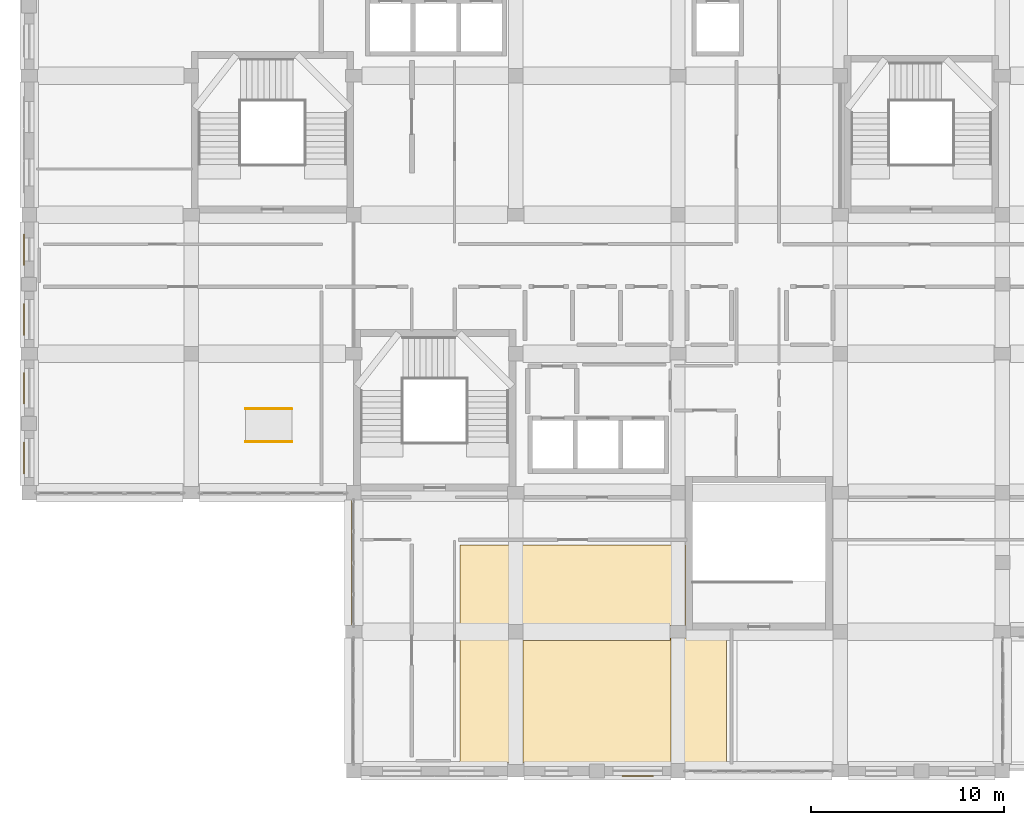
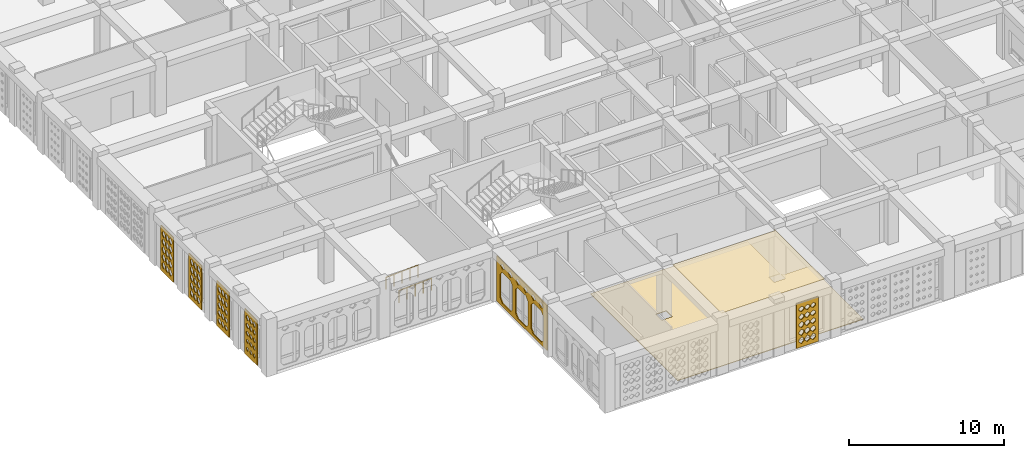
# One storey, part 75 of 111: 8 coverings, 2 railings.
"""IFC4 building model written with IfcOpenShell, lengths in metres."""

from ifc_helpers import new_model, si_unit, derived_unit, direction, frame, origin, origin_2d, place, context, subcontext, project, spatial, polyline, circle, outline, extrude, material, layer, layer_set, type_object, element, save


model = new_model("IFC4")

# Units and contexts
model_context = context("Model", 3, precision=1e-05, world=origin(), true_north=direction((0.0, 1.0)))
body_context = subcontext(model_context, "Body", "Model", "MODEL_VIEW")
ifc_project = project(units=[si_unit("LENGTHUNIT", "METRE"), si_unit("AREAUNIT", "SQUARE_METRE"), si_unit("VOLUMEUNIT", "CUBIC_METRE"), si_unit("PLANEANGLEUNIT", "RADIAN"), si_unit("MASSUNIT", "GRAM", prefix="KILO"), derived_unit("THERMALTRANSMITTANCEUNIT", [(si_unit("POWERUNIT", "WATT"), 1), (si_unit("LENGTHUNIT", "METRE"), -2), (si_unit("THERMODYNAMICTEMPERATUREUNIT", "KELVIN"), -1)])], contexts=[model_context])

# Site, building, storey
site_placement = place(None, origin())
site = spatial("IfcSite", under=ifc_project, at=site_placement, CompositionType="ELEMENT")
building_placement = place(site_placement, origin())
building = spatial("IfcBuilding", under=site, at=building_placement, Name="Veybourne Emporium", CompositionType="ELEMENT")
storey_placement = place(building_placement, frame((0.0, 0.0, 9.89990234375)))
storey = spatial("IfcBuildingStorey", under=building, at=storey_placement, Name="L02", CompositionType="ELEMENT", Elevation=9.89990234375)

# Coverings
ifc_material_1 = material(Name="Mineral Acoustic Ceiling", Category="gypsum")
ifc_layer_1 = layer(ifc_material_1, 0.02490234375)
ifc_layer_set_1 = layer_set([ifc_layer_1], Name="Mineral Acoustic Ceiling")
covering_type_1 = type_object("IfcCoveringType", Name="Ceiling_CLG-01", PredefinedType="CEILING", material=ifc_layer_set_1)
covering_1_placement = place(storey_placement, frame((0.0, 0.0, 4.155029296875)))
element("IfcCovering", 1, at=covering_1_placement, inside=storey, type_object=covering_type_1, Name="L02 coffered acoustic ceiling 01", PredefinedType="CEILING", context=body_context, shape_type="SweptSolid", body=[
    extrude(outline(polyline([(33.22705078125, 6.8701171875), (33.22705078125, 0.43994140625), (33.22509765625, 0.43994140625), (33.22509765625, 0.472900390625), (25.625, 0.472900390625), (25.625, 0.43994140625), (25.572998046875, 0.43994140625), (25.572998046875, 6.820068359375), (25.574951171875, 6.820068359375), (25.574951171875, 6.751953125), (33.175048828125, 6.751953125), (33.175048828125, 6.8701171875), (33.22705078125, 6.8701171875)])), origin(), (0.0, 0.0, 1.0), 0.025146484375),
])
ifc_material_2 = material(Name="Venetian Terrazzo Flooring", Category="masonry")
ifc_layer_2 = layer(ifc_material_2, 0.044921875)
ifc_layer_set_2 = layer_set([ifc_layer_2], Name="Venetian Terrazzo Flooring")
covering_type_2 = type_object("IfcCoveringType", Name="Flooring_FLR-01", PredefinedType="FLOORING", material=ifc_layer_set_2)
covering_2_placement = place(storey_placement, origin())
element("IfcCovering", 2, at=covering_2_placement, inside=storey, type_object=covering_type_2, Name="L02 floor finish 01", PredefinedType="FLOORING", context=body_context, shape_type="SweptSolid", body=[
    extrude(outline(polyline([(22.278564453125, 0.453369140625), (22.2861328125, 0.471435546875), (22.29150390625, 0.486083984375), (22.297119140625, 0.5048828125), (22.301025390625, 0.520263671875), (22.3046875, 0.53955078125), (22.30712890625, 0.554931640625), (22.30908203125, 0.574462890625), (22.309814453125, 0.590087890625), (22.31005859375, 0.60009765625), (22.31005859375, 11.68994140625), (33.989990234375, 11.68994140625), (33.989990234375, 7.64990234375), (33.990234375, 7.64013671875), (33.990966796875, 7.62451171875), (33.992919921875, 7.60498046875), (33.9951171875, 7.589599609375), (33.9990234375, 7.570068359375), (34.0029296875, 7.554931640625), (34.008544921875, 7.5361328125), (34.0107421875, 7.530029296875), (33.169921875, 7.530029296875), (33.169921875, 6.8701171875), (34.030029296875, 6.8701171875), (34.030029296875, 7.485595703125), (34.037353515625, 7.4716796875), (34.04541015625, 7.458251953125), (34.056396484375, 7.44189453125), (34.065673828125, 7.42919921875), (34.078125, 7.414306640625), (34.088623046875, 7.402587890625), (34.1025390625, 7.388671875), (34.1142578125, 7.378173828125), (34.12939453125, 7.36572265625), (34.141845703125, 7.3564453125), (34.158203125, 7.345458984375), (34.171875, 7.33740234375), (34.18896484375, 7.328125), (34.203369140625, 7.3212890625), (34.221435546875, 7.31396484375), (34.236083984375, 7.30859375), (34.2548828125, 7.302978515625), (34.270263671875, 7.299072265625), (34.28955078125, 7.295166015625), (34.304931640625, 7.29296875), (34.324462890625, 7.291015625), (34.340087890625, 7.290283203125), (34.35009765625, 7.2900390625), (36.10009765625, 7.2900390625), (36.10009765625, 0.43994140625), (22.2724609375, 0.43994140625), (22.278564453125, 0.453369140625)]), holes=[polyline([(25.580078125, 7.580078125), (24.820068359375, 7.580078125), (24.820068359375, 6.820068359375), (25.580078125, 6.820068359375), (25.580078125, 7.580078125)])]), origin(), (0.0, 0.0, 1.0), 0.045166015625),
])
ifc_material_3 = material(Name="Patinated Dark Bronze Fretwork", Category="bronze")
ifc_layer_3 = layer(ifc_material_3, 0.074951171875)
ifc_layer_set_3 = layer_set([ifc_layer_3], Name="Patinated Dark Bronze Fretwork")
covering_type_3 = type_object("IfcCoveringType", Name="Fretwork_FRT-02", PredefinedType="CLADDING", material=ifc_layer_set_3)
covering_3_placement = place(storey_placement, frame((16.69091796875, 10.77490234375, 1.815185546875), z_axis=(1.0, 0.0, 0.0), x_axis=(0.0, 1.0, 0.0)))
element("IfcCovering", 3, at=covering_3_placement, inside=storey, type_object=covering_type_3, Name="Corner entrance dark bronze lace fretwork portal L02-016", PredefinedType="CLADDING", context=body_context, shape_type="SweptSolid", body=[
    extrude(outline(polyline([(-3.22998046875, -1.77490234375), (3.22998046875, -1.77490234375), (3.22998046875, 1.77490234375), (-3.22998046875, 1.77490234375), (-3.22998046875, -1.77490234375)]), holes=[polyline([(-2.52197265625, 0.89501953125), (-1.464599609375, 0.89501953125), (-1.2158203125, 0.627685546875), (-1.2158203125, -1.267578125), (-1.464599609375, -1.534912109375), (-2.52197265625, -1.534912109375), (-2.770751953125, -1.267578125), (-2.770751953125, 0.627685546875), (-2.52197265625, 0.89501953125)]), polyline([(-0.528564453125, 0.89501953125), (0.528564453125, 0.89501953125), (0.77734375, 0.627685546875), (0.77734375, -1.267578125), (0.528564453125, -1.534912109375), (-0.528564453125, -1.534912109375), (-0.77734375, -1.267578125), (-0.77734375, 0.627685546875), (-0.528564453125, 0.89501953125)]), polyline([(1.464599609375, 0.89501953125), (2.52197265625, 0.89501953125), (2.770751953125, 0.627685546875), (2.770751953125, -1.267578125), (2.52197265625, -1.534912109375), (1.464599609375, -1.534912109375), (1.2158203125, -1.267578125), (1.2158203125, 0.627685546875), (1.464599609375, 0.89501953125)]), polyline([(-2.47509765625, 1.56298828125), (-2.195068359375, 1.3349609375), (-2.47509765625, 1.10693359375), (-2.7548828125, 1.3349609375), (-2.47509765625, 1.56298828125)]), polyline([(-1.485107421875, 1.56298828125), (-1.205078125, 1.3349609375), (-1.485107421875, 1.10693359375), (-1.764892578125, 1.3349609375), (-1.485107421875, 1.56298828125)]), polyline([(-0.4951171875, 1.56298828125), (-0.215087890625, 1.3349609375), (-0.4951171875, 1.10693359375), (-0.77490234375, 1.3349609375), (-0.4951171875, 1.56298828125)]), polyline([(0.4951171875, 1.56298828125), (0.77490234375, 1.3349609375), (0.4951171875, 1.10693359375), (0.215087890625, 1.3349609375), (0.4951171875, 1.56298828125)]), polyline([(1.485107421875, 1.56298828125), (1.764892578125, 1.3349609375), (1.485107421875, 1.10693359375), (1.205078125, 1.3349609375), (1.485107421875, 1.56298828125)]), polyline([(2.47509765625, 1.56298828125), (2.7548828125, 1.3349609375), (2.47509765625, 1.10693359375), (2.195068359375, 1.3349609375), (2.47509765625, 1.56298828125)])]), origin(), (0.0, 0.0, 1.0), 0.074951171875),
])

# Railings
ifc_material_4 = material(Name="Brushed Stainless Steel", Category="steel")
railing_type = type_object("IfcRailingType", Name="Handrail_HR-01", PredefinedType="HANDRAIL", material=ifc_material_4)
for number, where, name in (
    (4, (11.199951171875, 17.050048828125, 0.0), "Ramp RMP-05 handrail 1"),
    (5, (11.199951171875, 18.75, 0.0), "Ramp RMP-05 handrail 2"),
):
    element("IfcRailing", number, at=place(storey_placement, frame(where)), inside=storey, type_object=railing_type, Name=name, PredefinedType="HANDRAIL", context=body_context, shape_type="SweptSolid", body=[
        extrude(circle(Radius=0.02392578125, at=origin_2d()), frame((0.0, 0.0, 0.92578125), z_axis=(0.998750057719, 0.0, 0.049983219245), x_axis=(0.0, 1.0, 0.0)), (0.0, 0.0, 1.0), 2.403076171875),
        extrude(circle(Radius=0.02099609375, at=origin_2d()), origin(), (0.0, 0.0, 1.0), 0.90185546875),
        extrude(circle(Radius=0.02099609375, at=origin_2d()), frame((0.60009765625, 0.0, 0.030029296875)), (0.0, 0.0, 1.0), 0.90185546875),
        extrude(circle(Radius=0.02099609375, at=origin_2d()), frame((1.2001953125, 0.0, 0.06005859375)), (0.0, 0.0, 1.0), 0.90185546875),
        extrude(circle(Radius=0.02099609375, at=origin_2d()), frame((1.800048828125, 0.0, 0.090087890625)), (0.0, 0.0, 1.0), 0.90185546875),
        extrude(circle(Radius=0.02099609375, at=origin_2d()), frame((2.400146484375, 0.0, 0.1201171875)), (0.0, 0.0, 1.0), 0.90185546875),
    ])

# Coverings
ifc_material_5 = material(Name="Warm-White Perforated Aluminium Screen Alloy", Category="aluminium")
ifc_layer_4 = layer(ifc_material_5, 0.06005859375)
ifc_layer_set_4 = layer_set([ifc_layer_4], Name="Warm-White Perforated Aluminium Screen Alloy")
covering_type_4 = type_object("IfcCoveringType", Name="WaveScreen_SCR-02", PredefinedType="CLADDING", material=ifc_layer_set_4)
covering_4_placement = place(storey_placement, frame((-0.298095703125, 16.202392578125, 1.815185546875), z_axis=(1.0, 0.0, 0.0), x_axis=(0.0, 1.0, 0.0)))
element("IfcCovering", 6, at=covering_4_placement, inside=storey, type_object=covering_type_4, Name="L02 wave-perforated aluminium screen SCR-02 (2A.1)", PredefinedType="CLADDING", context=body_context, shape_type="SweptSolid", body=[
    extrude(outline(polyline([(-0.81982421875, -1.7548828125), (0.81982421875, -1.7548828125), (0.81982421875, 1.7548828125), (-0.81982421875, 1.7548828125), (-0.81982421875, -1.7548828125)]), holes=[polyline([(-0.433349609375, -1.0791015625), (-0.301513671875, -1.17431640625), (-0.301513671875, -1.281494140625), (-0.433349609375, -1.376953125), (-0.565185546875, -1.281494140625), (-0.565185546875, -1.17431640625), (-0.433349609375, -1.0791015625)]), polyline([(-0.433349609375, -0.452392578125), (-0.291259765625, -0.555908203125), (-0.291259765625, -0.672119140625), (-0.433349609375, -0.775390625), (-0.575439453125, -0.672119140625), (-0.575439453125, -0.555908203125), (-0.433349609375, -0.452392578125)]), polyline([(-0.433349609375, 0.175048828125), (-0.280029296875, 0.06298828125), (-0.280029296875, -0.06298828125), (-0.433349609375, -0.175048828125), (-0.586669921875, -0.06298828125), (-0.586669921875, 0.06298828125), (-0.433349609375, 0.175048828125)]), polyline([(-0.433349609375, 0.802978515625), (-0.2685546875, 0.68212890625), (-0.2685546875, 0.5458984375), (-0.433349609375, 0.4248046875), (-0.59814453125, 0.5458984375), (-0.59814453125, 0.68212890625), (-0.433349609375, 0.802978515625)]), polyline([(-0.433349609375, 1.431396484375), (-0.257080078125, 1.30126953125), (-0.257080078125, 1.15478515625), (-0.433349609375, 1.024658203125), (-0.609619140625, 1.15478515625), (-0.609619140625, 1.30126953125), (-0.433349609375, 1.431396484375)]), polyline([(0.0, -1.073486328125), (0.136474609375, -1.17236328125), (0.136474609375, -1.28369140625), (0.0, -1.382568359375), (-0.136474609375, -1.28369140625), (-0.136474609375, -1.17236328125), (0.0, -1.073486328125)]), polyline([(0.0, -0.4462890625), (0.147216796875, -0.5537109375), (0.147216796875, -0.67431640625), (0.0, -0.781494140625), (-0.147216796875, -0.67431640625), (-0.147216796875, -0.5537109375), (0.0, -0.4462890625)]), polyline([(0.0, 0.181396484375), (0.158447265625, 0.065185546875), (0.158447265625, -0.065185546875), (0.0, -0.181396484375), (-0.158447265625, -0.065185546875), (-0.158447265625, 0.065185546875), (0.0, 0.181396484375)]), polyline([(0.0, 0.8095703125), (0.169921875, 0.684326171875), (0.169921875, 0.543701171875), (0.0, 0.41845703125), (-0.169921875, 0.543701171875), (-0.169921875, 0.684326171875), (0.0, 0.8095703125)]), polyline([(0.0, 1.4375), (0.181396484375, 1.303466796875), (0.181396484375, 1.152587890625), (0.0, 1.018310546875), (-0.181396484375, 1.152587890625), (-0.181396484375, 1.303466796875), (0.0, 1.4375)]), polyline([(0.433349609375, -1.067626953125), (0.574462890625, -1.17041015625), (0.574462890625, -1.28564453125), (0.433349609375, -1.38818359375), (0.292236328125, -1.28564453125), (0.292236328125, -1.17041015625), (0.433349609375, -1.067626953125)]), polyline([(0.433349609375, -0.440185546875), (0.58544921875, -0.551513671875), (0.58544921875, -0.676513671875), (0.433349609375, -0.787841796875), (0.281005859375, -0.676513671875), (0.281005859375, -0.551513671875), (0.433349609375, -0.440185546875)]), polyline([(0.433349609375, 0.187744140625), (0.596923828125, 0.067626953125), (0.596923828125, -0.067626953125), (0.433349609375, -0.187744140625), (0.269775390625, -0.067626953125), (0.269775390625, 0.067626953125), (0.433349609375, 0.187744140625)]), polyline([(0.433349609375, 0.81591796875), (0.608642578125, 0.686767578125), (0.608642578125, 0.541259765625), (0.433349609375, 0.412109375), (0.258056640625, 0.541259765625), (0.258056640625, 0.686767578125), (0.433349609375, 0.81591796875)]), polyline([(0.433349609375, 1.44384765625), (0.61962890625, 1.3056640625), (0.61962890625, 1.150390625), (0.433349609375, 1.01220703125), (0.2470703125, 1.150390625), (0.2470703125, 1.3056640625), (0.433349609375, 1.44384765625)])]), origin(), (0.0, 0.0, 1.0), 0.06005859375),
])
covering_5_placement = place(storey_placement, frame((-0.298095703125, 19.822509765625, 1.815185546875), z_axis=(1.0, 0.0, 0.0), x_axis=(0.0, 1.0, 0.0)))
element("IfcCovering", 7, at=covering_5_placement, inside=storey, type_object=covering_type_4, Name="L02 wave-perforated aluminium screen SCR-02 (2B.1)", PredefinedType="CLADDING", context=body_context, shape_type="SweptSolid", body=[
    extrude(outline(polyline([(-0.81982421875, -1.7548828125), (0.81982421875, -1.7548828125), (0.81982421875, 1.7548828125), (-0.81982421875, 1.7548828125), (-0.81982421875, -1.7548828125)]), holes=[polyline([(-0.433349609375, -1.027587890625), (-0.259521484375, -1.156005859375), (-0.259521484375, -1.300048828125), (-0.433349609375, -1.42822265625), (-0.607177734375, -1.300048828125), (-0.607177734375, -1.156005859375), (-0.433349609375, -1.027587890625)]), polyline([(-0.433349609375, -0.399658203125), (-0.248046875, -0.536865234375), (-0.248046875, -0.691162109375), (-0.433349609375, -0.828369140625), (-0.61865234375, -0.691162109375), (-0.61865234375, -0.536865234375), (-0.433349609375, -0.399658203125)]), polyline([(-0.433349609375, 0.2275390625), (-0.2470703125, 0.081787109375), (-0.2470703125, -0.081787109375), (-0.433349609375, -0.2275390625), (-0.61962890625, -0.081787109375), (-0.61962890625, 0.081787109375), (-0.433349609375, 0.2275390625)]), polyline([(-0.433349609375, 0.853759765625), (-0.2470703125, 0.7001953125), (-0.2470703125, 0.527587890625), (-0.433349609375, 0.374267578125), (-0.61962890625, 0.527587890625), (-0.61962890625, 0.7001953125), (-0.433349609375, 0.853759765625)]), polyline([(-0.433349609375, 1.478759765625), (-0.2470703125, 1.318115234375), (-0.2470703125, 1.1376953125), (-0.433349609375, 0.977294921875), (-0.61962890625, 1.1376953125), (-0.61962890625, 1.318115234375), (-0.433349609375, 1.478759765625)]), polyline([(0.0, -1.021240234375), (0.17919921875, -1.153564453125), (0.17919921875, -1.302490234375), (0.0, -1.434814453125), (-0.17919921875, -1.302490234375), (-0.17919921875, -1.153564453125), (0.0, -1.021240234375)]), polyline([(0.0, -0.3935546875), (0.186279296875, -0.53466796875), (0.186279296875, -0.693359375), (0.0, -0.83447265625), (-0.186279296875, -0.693359375), (-0.186279296875, -0.53466796875), (0.0, -0.3935546875)]), polyline([(0.0, 0.2333984375), (0.186279296875, 0.083984375), (0.186279296875, -0.083984375), (0.0, -0.2333984375), (-0.186279296875, -0.083984375), (-0.186279296875, 0.083984375), (0.0, 0.2333984375)]), polyline([(0.0, 0.85888671875), (0.186279296875, 0.7021484375), (0.186279296875, 0.52587890625), (0.0, 0.369140625), (-0.186279296875, 0.52587890625), (-0.186279296875, 0.7021484375), (0.0, 0.85888671875)]), polyline([(0.0, 1.483154296875), (0.186279296875, 1.31982421875), (0.186279296875, 1.13623046875), (0.0, 0.972900390625), (-0.186279296875, 1.13623046875), (-0.186279296875, 1.31982421875), (0.0, 1.483154296875)]), polyline([(0.433349609375, -1.014892578125), (0.61767578125, -1.1513671875), (0.61767578125, -1.3046875), (0.433349609375, -1.44091796875), (0.2490234375, -1.3046875), (0.2490234375, -1.1513671875), (0.433349609375, -1.014892578125)]), polyline([(0.433349609375, -0.3876953125), (0.61962890625, -0.532470703125), (0.61962890625, -0.695556640625), (0.433349609375, -0.84033203125), (0.2470703125, -0.695556640625), (0.2470703125, -0.532470703125), (0.433349609375, -0.3876953125)]), polyline([(0.433349609375, 0.23876953125), (0.61962890625, 0.0859375), (0.61962890625, -0.0859375), (0.433349609375, -0.23876953125), (0.2470703125, -0.0859375), (0.2470703125, 0.0859375), (0.433349609375, 0.23876953125)]), polyline([(0.433349609375, 0.86376953125), (0.61962890625, 0.703857421875), (0.61962890625, 0.524169921875), (0.433349609375, 0.3642578125), (0.2470703125, 0.524169921875), (0.2470703125, 0.703857421875), (0.433349609375, 0.86376953125)]), polyline([(0.433349609375, 1.487060546875), (0.61962890625, 1.3212890625), (0.61962890625, 1.134765625), (0.433349609375, 0.968994140625), (0.2470703125, 1.134765625), (0.2470703125, 1.3212890625), (0.433349609375, 1.487060546875)])]), origin(), (0.0, 0.0, 1.0), 0.06005859375),
])
ifc_layer_5 = layer(ifc_material_5, 0.06005859375)
ifc_layer_set_5 = layer_set([ifc_layer_5], Name="Warm-White Perforated Aluminium Screen Alloy")
covering_type_5 = type_object("IfcCoveringType", Name="WaveScreen_SCR-03", PredefinedType="CLADDING", material=ifc_layer_set_5)
covering_6_placement = place(storey_placement, frame((-0.298095703125, 23.37744140625, 1.815185546875), z_axis=(1.0, 0.0, 0.0), x_axis=(0.0, 1.0, 0.0)))
element("IfcCovering", 8, at=covering_6_placement, inside=storey, type_object=covering_type_5, Name="L02 wave-perforated aluminium screen SCR-03 (3A.1)", PredefinedType="CLADDING", context=body_context, shape_type="SweptSolid", body=[
    extrude(outline(polyline([(-0.81982421875, -1.7548828125), (0.81982421875, -1.7548828125), (0.81982421875, 1.7548828125), (-0.81982421875, 1.7548828125), (-0.81982421875, -1.7548828125)]), holes=[polyline([(-0.433349609375, -0.980224609375), (-0.2470703125, -1.138916015625), (-0.2470703125, -1.317138671875), (-0.433349609375, -1.475830078125), (-0.61962890625, -1.317138671875), (-0.61962890625, -1.138916015625), (-0.433349609375, -0.980224609375)]), polyline([(-0.433349609375, -0.3564453125), (-0.2470703125, -0.521240234375), (-0.2470703125, -0.706787109375), (-0.433349609375, -0.87158203125), (-0.61962890625, -0.706787109375), (-0.61962890625, -0.521240234375), (-0.433349609375, -0.3564453125)]), polyline([(-0.433349609375, 0.263916015625), (-0.2470703125, 0.094970703125), (-0.2470703125, -0.094970703125), (-0.433349609375, -0.263916015625), (-0.61962890625, -0.094970703125), (-0.61962890625, 0.094970703125), (-0.433349609375, 0.263916015625)]), polyline([(-0.433349609375, 0.8779296875), (-0.2470703125, 0.708984375), (-0.2470703125, 0.51904296875), (-0.433349609375, 0.35009765625), (-0.61962890625, 0.51904296875), (-0.61962890625, 0.708984375), (-0.433349609375, 0.8779296875)]), polyline([(-0.433349609375, 1.491943359375), (-0.2470703125, 1.322998046875), (-0.2470703125, 1.133056640625), (-0.433349609375, 0.964111328125), (-0.61962890625, 1.133056640625), (-0.61962890625, 1.322998046875), (-0.433349609375, 1.491943359375)]), polyline([(0.0, -0.9755859375), (0.186279296875, -1.13720703125), (0.186279296875, -1.31884765625), (0.0, -1.48046875), (-0.186279296875, -1.31884765625), (-0.186279296875, -1.13720703125), (0.0, -0.9755859375)]), polyline([(0.0, -0.352783203125), (0.186279296875, -0.52001953125), (0.186279296875, -0.7080078125), (0.0, -0.875244140625), (-0.186279296875, -0.7080078125), (-0.186279296875, -0.52001953125), (0.0, -0.352783203125)]), polyline([(0.0, 0.263916015625), (0.186279296875, 0.094970703125), (0.186279296875, -0.094970703125), (0.0, -0.263916015625), (-0.186279296875, -0.094970703125), (-0.186279296875, 0.094970703125), (0.0, 0.263916015625)]), polyline([(0.0, 0.8779296875), (0.186279296875, 0.708984375), (0.186279296875, 0.51904296875), (0.0, 0.35009765625), (-0.186279296875, 0.51904296875), (-0.186279296875, 0.708984375), (0.0, 0.8779296875)]), polyline([(0.0, 1.491943359375), (0.186279296875, 1.322998046875), (0.186279296875, 1.133056640625), (0.0, 0.964111328125), (-0.186279296875, 1.133056640625), (-0.186279296875, 1.322998046875), (0.0, 1.491943359375)]), polyline([(0.433349609375, -0.97119140625), (0.61962890625, -1.135498046875), (0.61962890625, -1.3203125), (0.433349609375, -1.484619140625), (0.2470703125, -1.3203125), (0.2470703125, -1.135498046875), (0.433349609375, -0.97119140625)]), polyline([(0.433349609375, -0.35009765625), (0.61962890625, -0.51904296875), (0.61962890625, -0.708984375), (0.433349609375, -0.8779296875), (0.2470703125, -0.708984375), (0.2470703125, -0.51904296875), (0.433349609375, -0.35009765625)]), polyline([(0.433349609375, 0.263916015625), (0.61962890625, 0.094970703125), (0.61962890625, -0.094970703125), (0.433349609375, -0.263916015625), (0.2470703125, -0.094970703125), (0.2470703125, 0.094970703125), (0.433349609375, 0.263916015625)]), polyline([(0.433349609375, 0.8779296875), (0.61962890625, 0.708984375), (0.61962890625, 0.51904296875), (0.433349609375, 0.35009765625), (0.2470703125, 0.51904296875), (0.2470703125, 0.708984375), (0.433349609375, 0.8779296875)]), polyline([(0.433349609375, 1.491943359375), (0.61962890625, 1.322998046875), (0.61962890625, 1.133056640625), (0.433349609375, 0.964111328125), (0.2470703125, 1.133056640625), (0.2470703125, 1.322998046875), (0.433349609375, 1.491943359375)])]), origin(), (0.0, 0.0, 1.0), 0.06005859375),
])
covering_7_placement = place(storey_placement, frame((-0.298095703125, 26.99755859375, 1.815185546875), z_axis=(1.0, 0.0, 0.0), x_axis=(0.0, 1.0, 0.0)))
element("IfcCovering", 9, at=covering_7_placement, inside=storey, type_object=covering_type_5, Name="L02 wave-perforated aluminium screen SCR-03 (3B.1)", PredefinedType="CLADDING", context=body_context, shape_type="SweptSolid", body=[
    extrude(outline(polyline([(-0.81982421875, -1.7548828125), (0.81982421875, -1.7548828125), (0.81982421875, 1.7548828125), (-0.81982421875, 1.7548828125), (-0.81982421875, -1.7548828125)]), holes=[polyline([(-0.433349609375, -0.964111328125), (-0.2470703125, -1.133056640625), (-0.2470703125, -1.322998046875), (-0.433349609375, -1.491943359375), (-0.61962890625, -1.322998046875), (-0.61962890625, -1.133056640625), (-0.433349609375, -0.964111328125)]), polyline([(-0.433349609375, -0.35009765625), (-0.2470703125, -0.51904296875), (-0.2470703125, -0.708984375), (-0.433349609375, -0.8779296875), (-0.61962890625, -0.708984375), (-0.61962890625, -0.51904296875), (-0.433349609375, -0.35009765625)]), polyline([(-0.433349609375, 0.263916015625), (-0.2470703125, 0.094970703125), (-0.2470703125, -0.094970703125), (-0.433349609375, -0.263916015625), (-0.61962890625, -0.094970703125), (-0.61962890625, 0.094970703125), (-0.433349609375, 0.263916015625)]), polyline([(-0.433349609375, 0.8779296875), (-0.2470703125, 0.708984375), (-0.2470703125, 0.51904296875), (-0.433349609375, 0.35009765625), (-0.61962890625, 0.51904296875), (-0.61962890625, 0.708984375), (-0.433349609375, 0.8779296875)]), polyline([(-0.433349609375, 1.491943359375), (-0.2470703125, 1.322998046875), (-0.2470703125, 1.133056640625), (-0.433349609375, 0.964111328125), (-0.61962890625, 1.133056640625), (-0.61962890625, 1.322998046875), (-0.433349609375, 1.491943359375)]), polyline([(0.0, -0.964111328125), (0.186279296875, -1.133056640625), (0.186279296875, -1.322998046875), (0.0, -1.491943359375), (-0.186279296875, -1.322998046875), (-0.186279296875, -1.133056640625), (0.0, -0.964111328125)]), polyline([(0.0, -0.35009765625), (0.186279296875, -0.51904296875), (0.186279296875, -0.708984375), (0.0, -0.8779296875), (-0.186279296875, -0.708984375), (-0.186279296875, -0.51904296875), (0.0, -0.35009765625)]), polyline([(0.0, 0.263916015625), (0.186279296875, 0.094970703125), (0.186279296875, -0.094970703125), (0.0, -0.263916015625), (-0.186279296875, -0.094970703125), (-0.186279296875, 0.094970703125), (0.0, 0.263916015625)]), polyline([(0.0, 0.8779296875), (0.186279296875, 0.708984375), (0.186279296875, 0.51904296875), (0.0, 0.35009765625), (-0.186279296875, 0.51904296875), (-0.186279296875, 0.708984375), (0.0, 0.8779296875)]), polyline([(0.0, 1.489501953125), (0.186279296875, 1.322021484375), (0.186279296875, 1.1337890625), (0.0, 0.966552734375), (-0.186279296875, 1.1337890625), (-0.186279296875, 1.322021484375), (0.0, 1.489501953125)]), polyline([(0.433349609375, -0.964111328125), (0.61962890625, -1.133056640625), (0.61962890625, -1.322998046875), (0.433349609375, -1.491943359375), (0.2470703125, -1.322998046875), (0.2470703125, -1.133056640625), (0.433349609375, -0.964111328125)]), polyline([(0.433349609375, -0.35009765625), (0.61962890625, -0.51904296875), (0.61962890625, -0.708984375), (0.433349609375, -0.8779296875), (0.2470703125, -0.708984375), (0.2470703125, -0.51904296875), (0.433349609375, -0.35009765625)]), polyline([(0.433349609375, 0.263916015625), (0.61962890625, 0.094970703125), (0.61962890625, -0.094970703125), (0.433349609375, -0.263916015625), (0.2470703125, -0.094970703125), (0.2470703125, 0.094970703125), (0.433349609375, 0.263916015625)]), polyline([(0.433349609375, 0.8779296875), (0.61962890625, 0.708984375), (0.61962890625, 0.51904296875), (0.433349609375, 0.35009765625), (0.2470703125, 0.51904296875), (0.2470703125, 0.708984375), (0.433349609375, 0.8779296875)]), polyline([(0.433349609375, 1.485595703125), (0.61962890625, 1.32080078125), (0.61962890625, 1.13525390625), (0.433349609375, 0.97021484375), (0.2470703125, 1.13525390625), (0.2470703125, 1.32080078125), (0.433349609375, 1.485595703125)])]), origin(), (0.0, 0.0, 1.0), 0.06005859375),
])
covering_8_placement = place(storey_placement, frame((31.512451171875, -0.298095703125, 1.815185546875), z_axis=(0.0, 1.0, 0.0), x_axis=(-1.0, 0.0, 0.0)))
element("IfcCovering", 10, at=covering_8_placement, inside=storey, type_object=covering_type_5, Name="L02 wave-perforated aluminium screen SCR-03 (19A.1)", PredefinedType="CLADDING", context=body_context, shape_type="SweptSolid", body=[
    extrude(outline(polyline([(-0.81982421875, -1.7548828125), (0.81982421875, -1.7548828125), (0.81982421875, 1.7548828125), (-0.81982421875, 1.7548828125), (-0.81982421875, -1.7548828125)]), holes=[polyline([(-0.433349609375, -0.97705078125), (-0.2470703125, -1.1376953125), (-0.2470703125, -1.318359375), (-0.433349609375, -1.47900390625), (-0.61962890625, -1.318359375), (-0.61962890625, -1.1376953125), (-0.433349609375, -0.97705078125)]), polyline([(-0.433349609375, -0.373779296875), (-0.2470703125, -0.527587890625), (-0.2470703125, -0.700439453125), (-0.433349609375, -0.85400390625), (-0.61962890625, -0.700439453125), (-0.61962890625, -0.527587890625), (-0.433349609375, -0.373779296875)]), polyline([(-0.433349609375, 0.227783203125), (-0.2470703125, 0.08203125), (-0.2470703125, -0.08203125), (-0.433349609375, -0.227783203125), (-0.61962890625, -0.08203125), (-0.61962890625, 0.08203125), (-0.433349609375, 0.227783203125)]), polyline([(-0.433349609375, 0.82861328125), (-0.247802734375, 0.691162109375), (-0.247802734375, 0.536865234375), (-0.433349609375, 0.3994140625), (-0.618896484375, 0.536865234375), (-0.618896484375, 0.691162109375), (-0.433349609375, 0.82861328125)]), polyline([(-0.433349609375, 1.4287109375), (-0.25927734375, 1.30029296875), (-0.25927734375, 1.15576171875), (-0.433349609375, 1.02734375), (-0.607421875, 1.15576171875), (-0.607421875, 1.30029296875), (-0.433349609375, 1.4287109375)]), polyline([(0.0, -0.97265625), (0.186279296875, -1.135986328125), (0.186279296875, -1.31982421875), (0.0, -1.4833984375), (-0.186279296875, -1.31982421875), (-0.186279296875, -1.135986328125), (0.0, -0.97265625)]), polyline([(0.0, -0.368896484375), (0.186279296875, -0.525634765625), (0.186279296875, -0.702392578125), (0.0, -0.859130859375), (-0.186279296875, -0.702392578125), (-0.186279296875, -0.525634765625), (0.0, -0.368896484375)]), polyline([(0.0, 0.2333984375), (0.186279296875, 0.083984375), (0.186279296875, -0.083984375), (0.0, -0.2333984375), (-0.186279296875, -0.083984375), (-0.186279296875, 0.083984375), (0.0, 0.2333984375)]), polyline([(0.0, 0.834716796875), (0.186279296875, 0.693359375), (0.186279296875, 0.53466796875), (0.0, 0.393310546875), (-0.186279296875, 0.53466796875), (-0.186279296875, 0.693359375), (0.0, 0.834716796875)]), polyline([(0.0, 1.43505859375), (0.179443359375, 1.302490234375), (0.179443359375, 1.153564453125), (0.0, 1.02099609375), (-0.179443359375, 1.153564453125), (-0.179443359375, 1.302490234375), (0.0, 1.43505859375)]), polyline([(0.433349609375, -0.96875), (0.61962890625, -1.134765625), (0.61962890625, -1.3212890625), (0.433349609375, -1.4873046875), (0.2470703125, -1.3212890625), (0.2470703125, -1.134765625), (0.433349609375, -0.96875)]), polyline([(0.433349609375, -0.364013671875), (0.61962890625, -0.52392578125), (0.61962890625, -0.7041015625), (0.433349609375, -0.864013671875), (0.2470703125, -0.7041015625), (0.2470703125, -0.52392578125), (0.433349609375, -0.364013671875)]), polyline([(0.433349609375, 0.239013671875), (0.61962890625, 0.0859375), (0.61962890625, -0.0859375), (0.433349609375, -0.239013671875), (0.2470703125, -0.0859375), (0.2470703125, 0.0859375), (0.433349609375, 0.239013671875)]), polyline([(0.433349609375, 0.840576171875), (0.61962890625, 0.695556640625), (0.61962890625, 0.532470703125), (0.433349609375, 0.387451171875), (0.2470703125, 0.532470703125), (0.2470703125, 0.695556640625), (0.433349609375, 0.840576171875)]), polyline([(0.433349609375, 1.44140625), (0.617919921875, 1.3046875), (0.617919921875, 1.151123046875), (0.433349609375, 1.0146484375), (0.248779296875, 1.151123046875), (0.248779296875, 1.3046875), (0.433349609375, 1.44140625)])]), origin(), (0.0, 0.0, 1.0), 0.06005859375),
])

save(model, "model.ifc")
